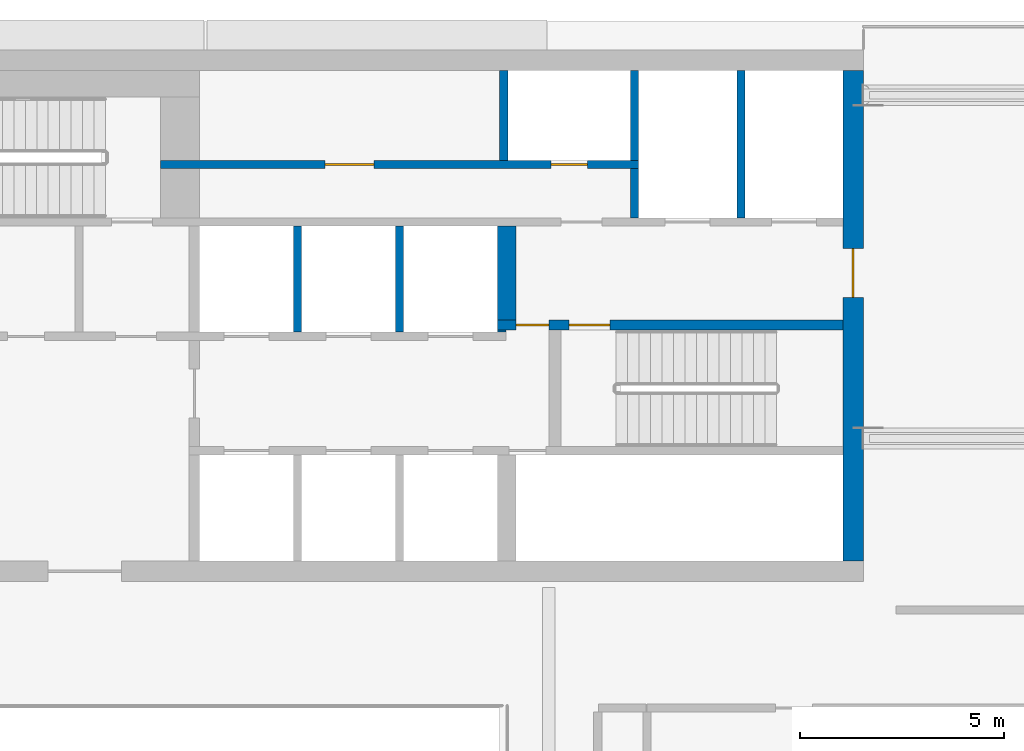
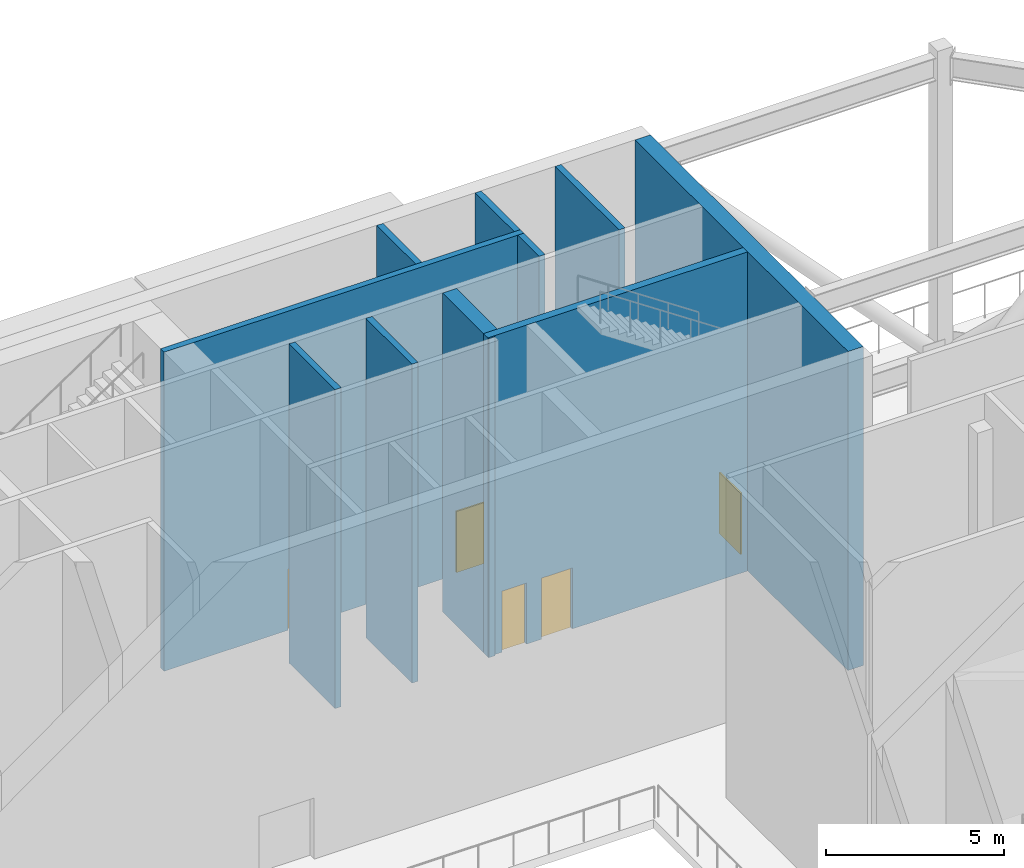
# One storey, part 7 of 20: 11 walls, 5 doors, 5 openings.
"""IFC4 building model written with IfcOpenShell, lengths in metres."""

from ifc_helpers import new_model, si_unit, direction, frame, frame_2d, origin, place, context, subcontext, project, spatial, rectangle, extrude, material, layer, layer_set, type_object, element, fill, save


model = new_model("IFC4")

# Units and contexts
model_context = context("Model", 3, precision=1e-05, world=origin(), true_north=direction((0.0, 1.0)))
body_context = subcontext(model_context, "Body", "Model", "MODEL_VIEW")
ifc_project = project(units=[si_unit("LENGTHUNIT", "METRE"), si_unit("AREAUNIT", "SQUARE_METRE"), si_unit("VOLUMEUNIT", "CUBIC_METRE"), si_unit("PLANEANGLEUNIT", "RADIAN"), si_unit("MASSUNIT", "GRAM", prefix="KILO")], contexts=[model_context])

# Site, building, storey
site_placement = place(None, origin())
site = spatial("IfcSite", under=ifc_project, at=site_placement, CompositionType="ELEMENT")
building_placement = place(site_placement, origin())
building = spatial("IfcBuilding", under=site, at=building_placement, Name="Saffron Gate Tower", CompositionType="ELEMENT")
storey_placement = place(building_placement, frame((0.0, 0.0, 252.300048828125)))
storey = spatial("IfcBuildingStorey", under=building, at=storey_placement, Name="L62", CompositionType="ELEMENT", Elevation=252.300048828125)

# Wall, opening, door
ifc_material_1 = material(Name="Concrete C50", Category="concrete")
ifc_layer_1 = layer(ifc_material_1, 0.5)
ifc_layer_set_1 = layer_set([ifc_layer_1], Name="CW22 RC core wall 500 C50")
wall_type_1 = type_object("IfcWallType", Name="CW22 RC core wall 500 C50", PredefinedType="SOLIDWALL", material=ifc_layer_set_1)
wall_1_placement = place(storey_placement, frame((107.64990234375, 62.39990234375, 0.0), z_axis=(0.0, 0.0, 1.0), x_axis=(0.0, 1.0, 0.0)))
wall_1 = element("IfcWall", 1, at=wall_1_placement, inside=storey, type_object=wall_type_1, Name="Wall CW22-L62-4", PredefinedType="SOLIDWALL", context=body_context, shape_type="SweptSolid", body=[
    extrude(rectangle(XDim=12.0, YDim=0.5, at=frame_2d((6.0, 0.0))), origin(), (0.0, 0.0, 1.0), 10.969970703125),
])
opening_1_placement = place(wall_1_placement, frame((6.449951171875, 0.0, 0.0)))
opening_1 = element("IfcOpeningElement", 2, at=opening_1_placement, cuts=wall_1, Name="Opening CR-08", PredefinedType="OPENING", context=body_context, shape_type="SweptSolid", body=[
    extrude(rectangle(XDim=1.199951171875, YDim=2.10009765625, at=frame_2d((0.60009765625, 1.050048828125))), frame((0.0, 0.260009765625, 0.0), z_axis=(0.0, -1.0, 0.0), x_axis=(1.0, 0.0, 0.0)), (0.0, 0.0, 1.0), 0.52001953125),
])
ifc_material_2 = material(Name="Steel fire door set", Category="steel")
door_type_1 = type_object("IfcDoorType", Name="CD7 Core entrance door 1200x2100 EI 120", OperationType="NOTDEFINED", PredefinedType="DOOR", material=ifc_material_2)
door_1_placement = place(opening_1_placement, origin())
door_1 = element("IfcDoor", 3, at=door_1_placement, inside=storey, type_object=door_type_1, Name="DOOR CR-08", OperationType="SINGLE_SWING_RIGHT", OverallHeight=2.10009765625, OverallWidth=1.199951171875, PredefinedType="DOOR", context=body_context, shape_type="SweptSolid", body=[
    extrude(rectangle(XDim=1.199951171875, YDim=2.10009765625, at=frame_2d((0.60009765625, 1.050048828125))), frame((0.0, 0.02490234375, 0.0), z_axis=(0.0, -1.0, 0.0), x_axis=(1.0, 0.0, 0.0)), (0.0, 0.0, 1.0), 0.050048828125),
])
fill(opening_1, door_1)

# Wall, openings, doors
ifc_layer_2 = layer(ifc_material_1, 0.25)
ifc_layer_set_2 = layer_set([ifc_layer_2], Name="CW23 RC core wall 250 C50")
wall_type_2 = type_object("IfcWallType", Name="CW23 RC core wall 250 C50", PredefinedType="SOLIDWALL", material=ifc_layer_set_2)
wall_2_placement = place(storey_placement, frame((98.949951171875, 68.175048828125, 0.0), z_axis=(0.0, 0.0, 1.0), x_axis=(1.0, 0.0, 0.0)))
wall_2 = element("IfcWall", 4, at=wall_2_placement, inside=storey, type_object=wall_type_2, Name="Wall CW23-L62-30", PredefinedType="SOLIDWALL", context=body_context, shape_type="SweptSolid", body=[
    extrude(rectangle(XDim=8.449951171875, YDim=0.25, at=frame_2d((4.22509765625, 0.0))), origin(), (0.0, 0.0, 1.0), 10.969970703125),
])
opening_2_placement = place(wall_2_placement, frame((0.449951171875, 0.0, 0.0)))
opening_2 = element("IfcOpeningElement", 5, at=opening_2_placement, cuts=wall_2, Name="Opening CR-05", PredefinedType="OPENING", context=body_context, shape_type="SweptSolid", body=[
    extrude(rectangle(XDim=0.800048828125, YDim=2.10009765625, at=frame_2d((0.39990234375, 1.050048828125))), frame((0.0, 0.135009765625, 0.0), z_axis=(0.0, -1.0, 0.0), x_axis=(1.0, 0.0, 0.0)), (0.0, 0.0, 1.0), 0.27001953125),
])
opening_3_placement = place(wall_2_placement, frame((1.75, 0.0, 0.0)))
opening_3 = element("IfcOpeningElement", 6, at=opening_3_placement, cuts=wall_2, Name="Opening CR-16", PredefinedType="OPENING", context=body_context, shape_type="SweptSolid", body=[
    extrude(rectangle(XDim=1.0, YDim=2.10009765625, at=frame_2d((0.5, 1.050048828125))), frame((0.0, 0.135009765625, 0.0), z_axis=(0.0, -1.0, 0.0), x_axis=(1.0, 0.0, 0.0)), (0.0, 0.0, 1.0), 0.27001953125),
])
door_type_2 = type_object("IfcDoorType", Name="CD5 Stair door 1000x2100 EI 120", OperationType="NOTDEFINED", PredefinedType="DOOR", material=ifc_material_2)
door_2_placement = place(opening_3_placement, origin())
door_2 = element("IfcDoor", 7, at=door_2_placement, inside=storey, type_object=door_type_2, Name="DOOR CR-16", OperationType="SINGLE_SWING_RIGHT", OverallHeight=2.10009765625, OverallWidth=1.0, PredefinedType="DOOR", context=body_context, shape_type="SweptSolid", body=[
    extrude(rectangle(XDim=1.0, YDim=2.10009765625, at=frame_2d((0.5, 1.050048828125))), frame((0.0, 0.02490234375, 0.0), z_axis=(0.0, -1.0, 0.0), x_axis=(1.0, 0.0, 0.0)), (0.0, 0.0, 1.0), 0.050048828125),
])
fill(opening_3, door_2)
door_type_3 = type_object("IfcDoorType", Name="CD6 Lobby door 800x2100 EI 120", OperationType="NOTDEFINED", PredefinedType="DOOR", material=ifc_material_2)
door_3_placement = place(opening_2_placement, origin())
door_3 = element("IfcDoor", 8, at=door_3_placement, inside=storey, type_object=door_type_3, Name="DOOR CR-05", OperationType="SINGLE_SWING_LEFT", OverallHeight=2.10009765625, OverallWidth=0.800048828125, PredefinedType="DOOR", context=body_context, shape_type="SweptSolid", body=[
    extrude(rectangle(XDim=0.800048828125, YDim=2.10009765625, at=frame_2d((0.39990234375, 1.050048828125))), frame((0.0, 0.02490234375, 0.0), z_axis=(0.0, -1.0, 0.0), x_axis=(1.0, 0.0, 0.0)), (0.0, 0.0, 1.0), 0.050048828125),
])
fill(opening_2, door_3)

# Walls
ifc_layer_3 = layer(ifc_material_1, 0.449951171875)
ifc_layer_set_3 = layer_set([ifc_layer_3], Name="CW24 RC core wall 450 C50")
wall_type_3 = type_object("IfcWallType", Name="CW24 RC core wall 450 C50", PredefinedType="SOLIDWALL", material=ifc_layer_set_3)
wall_3_placement = place(storey_placement, frame((99.175048828125, 68.300048828125, 0.0), z_axis=(0.0, 0.0, 1.0), x_axis=(0.0, 1.0, 0.0)))
element("IfcWall", 9, at=wall_3_placement, inside=storey, type_object=wall_type_3, Name="Wall CW24-L62-32", PredefinedType="SOLIDWALL", context=body_context, shape_type="SweptSolid", body=[
    extrude(rectangle(XDim=2.300048828125, YDim=0.449951171875, at=frame_2d((1.14990234375, 0.0))), origin(), (0.0, 0.0, 1.0), 10.969970703125),
])
ifc_layer_4 = layer(ifc_material_1, 0.199951171875)
ifc_layer_set_4 = layer_set([ifc_layer_4], Name="CW25 RC core wall 200 C50")
wall_type_4 = type_object("IfcWallType", Name="CW25 RC core wall 200 C50", PredefinedType="SOLIDWALL", material=ifc_layer_set_4)
for number, where, z_axis, x_axis, name in (
    (10, (94.050048828125, 68.0, 0.0), (0.0, 0.0, 1.0), (0.0, 1.0, 0.0), "Wall CW25-L62-26"),
    (11, (96.550048828125, 68.0, 0.0), (0.0, 0.0, 1.0), (0.0, 1.0, 0.0), "Wall CW25-L62-27"),
):
    element("IfcWall", number, at=place(storey_placement, frame(where, z_axis=z_axis, x_axis=x_axis)), inside=storey, type_object=wall_type_4, Name=name, PredefinedType="SOLIDWALL", context=body_context, shape_type="SweptSolid", body=[
        extrude(rectangle(XDim=2.60009765625, YDim=0.199951171875, at=frame_2d((1.300048828125, 0.0))), origin(), (0.0, 0.0, 1.0), 10.969970703125),
    ])
wall_4_placement = place(storey_placement, frame((102.300048828125, 70.800048828125, 0.0), z_axis=(0.0, 0.0, 1.0), x_axis=(0.0, 1.0, 0.0)))
element("IfcWall", 12, at=wall_4_placement, inside=storey, type_object=wall_type_4, Name="Wall CW25-L62-38", PredefinedType="SOLIDWALL", context=body_context, shape_type="SweptSolid", body=[
    extrude(rectangle(XDim=1.199951171875, YDim=0.199951171875, at=frame_2d((0.60009765625, 0.0))), origin(), (0.0, 0.0, 1.0), 10.969970703125),
])
wall_5_placement = place(storey_placement, frame((104.89990234375, 70.800048828125, 0.0), z_axis=(0.0, 0.0, 1.0), x_axis=(0.0, 1.0, 0.0)))
element("IfcWall", 13, at=wall_5_placement, inside=storey, type_object=wall_type_4, Name="Wall CW25-L62-39", PredefinedType="SOLIDWALL", context=body_context, shape_type="SweptSolid", body=[
    extrude(rectangle(XDim=3.599853515625, YDim=0.199951171875, at=frame_2d((1.7998046875, 0.0))), origin(), (0.0, 0.0, 1.0), 10.969970703125),
])

# Wall, openings, doors
wall_6_placement = place(storey_placement, frame((90.699951171875, 72.10009765625, 0.0), z_axis=(0.0, 0.0, 1.0), x_axis=(1.0, 0.0, 0.0)))
wall_6 = element("IfcWall", 14, at=wall_6_placement, inside=storey, type_object=wall_type_4, Name="Wall CW25-L62-41", PredefinedType="SOLIDWALL", context=body_context, shape_type="SweptSolid", body=[
    extrude(rectangle(XDim=11.699951171875, YDim=0.199951171875, at=frame_2d((5.85009765625, 0.0))), origin(), (0.0, 0.0, 1.0), 10.969970703125),
])
opening_4_placement = place(wall_6_placement, frame((4.02490234375, 0.0, 0.0)))
opening_4 = element("IfcOpeningElement", 15, at=opening_4_placement, cuts=wall_6, Name="Opening CR-52", PredefinedType="OPENING", context=body_context, shape_type="SweptSolid", body=[
    extrude(rectangle(XDim=1.199951171875, YDim=2.10009765625, at=frame_2d((0.60009765625, 1.050048828125))), frame((0.0, 0.10986328125, 0.0), z_axis=(0.0, -1.0, 0.0), x_axis=(1.0, 0.0, 0.0)), (0.0, 0.0, 1.0), 0.219970703125),
])
opening_5_placement = place(wall_6_placement, frame((9.550048828125, 0.0, 0.0)))
opening_5 = element("IfcOpeningElement", 16, at=opening_5_placement, cuts=wall_6, Name="Opening CR-70", PredefinedType="OPENING", context=body_context, shape_type="SweptSolid", body=[
    extrude(rectangle(XDim=0.89990234375, YDim=2.10009765625, at=frame_2d((0.449951171875, 1.050048828125))), frame((0.0, 0.10986328125, 0.0), z_axis=(0.0, -1.0, 0.0), x_axis=(1.0, 0.0, 0.0)), (0.0, 0.0, 1.0), 0.219970703125),
])
door_type_4 = type_object("IfcDoorType", Name="CD10 Room door 1200x2100 EI 60", OperationType="NOTDEFINED", PredefinedType="DOOR", material=ifc_material_2)
door_4_placement = place(opening_4_placement, origin())
door_4 = element("IfcDoor", 17, at=door_4_placement, inside=storey, type_object=door_type_4, Name="DOOR CR-52", OperationType="SINGLE_SWING_LEFT", OverallHeight=2.10009765625, OverallWidth=1.199951171875, PredefinedType="DOOR", context=body_context, shape_type="SweptSolid", body=[
    extrude(rectangle(XDim=1.199951171875, YDim=2.10009765625, at=frame_2d((0.60009765625, 1.050048828125))), frame((0.0, 0.02490234375, 0.0), z_axis=(0.0, -1.0, 0.0), x_axis=(1.0, 0.0, 0.0)), (0.0, 0.0, 1.0), 0.050048828125),
])
fill(opening_4, door_4)
door_type_5 = type_object("IfcDoorType", Name="CD2 Riser door 900x2100 EI 60", OperationType="NOTDEFINED", PredefinedType="DOOR", material=ifc_material_2)
door_5_placement = place(opening_5_placement, origin())
door_5 = element("IfcDoor", 18, at=door_5_placement, inside=storey, type_object=door_type_5, Name="DOOR CR-70", OperationType="SINGLE_SWING_LEFT", OverallHeight=2.10009765625, OverallWidth=0.89990234375, PredefinedType="DOOR", context=body_context, shape_type="SweptSolid", body=[
    extrude(rectangle(XDim=0.89990234375, YDim=2.10009765625, at=frame_2d((0.449951171875, 1.050048828125))), frame((0.0, 0.02490234375, 0.0), z_axis=(0.0, -1.0, 0.0), x_axis=(1.0, 0.0, 0.0)), (0.0, 0.0, 1.0), 0.050048828125),
])
fill(opening_5, door_5)

# Walls
for number, where, z_axis, x_axis, name in (
    (19, (99.10009765625, 72.199951171875, 0.0), (0.0, 0.0, 1.0), (0.0, 1.0, 0.0), "Wall CW25-L62-46"),
    (20, (102.300048828125, 72.199951171875, 0.0), (0.0, 0.0, 1.0), (0.0, 1.0, 0.0), "Wall CW25-L62-47"),
):
    element("IfcWall", number, at=place(storey_placement, frame(where, z_axis=z_axis, x_axis=x_axis)), inside=storey, type_object=wall_type_4, Name=name, PredefinedType="SOLIDWALL", context=body_context, shape_type="SweptSolid", body=[
        extrude(rectangle(XDim=2.199951171875, YDim=0.199951171875, at=frame_2d((1.10009765625, 0.0))), origin(), (0.0, 0.0, 1.0), 10.969970703125),
    ])
ifc_layer_5 = layer(ifc_material_1, 0.050048828125)
ifc_layer_set_5 = layer_set([ifc_layer_5], Name="CW27 RC core wall 50 C50")
wall_type_5 = type_object("IfcWallType", Name="CW27 RC core wall 50 C50", PredefinedType="SOLIDWALL", material=ifc_layer_set_5)
wall_7_placement = place(storey_placement, frame((98.949951171875, 68.02490234375, 0.0), z_axis=(0.0, 0.0, 1.0), x_axis=(1.0, 0.0, 0.0)))
element("IfcWall", 21, at=wall_7_placement, inside=storey, type_object=wall_type_5, Name="Wall CW27-L62-28", PredefinedType="SOLIDWALL", context=body_context, shape_type="SweptSolid", body=[
    extrude(rectangle(XDim=0.199951171875, YDim=0.050048828125, at=frame_2d((0.10009765625, 0.0))), origin(), (0.0, 0.0, 1.0), 10.969970703125),
])

save(model, "model.ifc")
